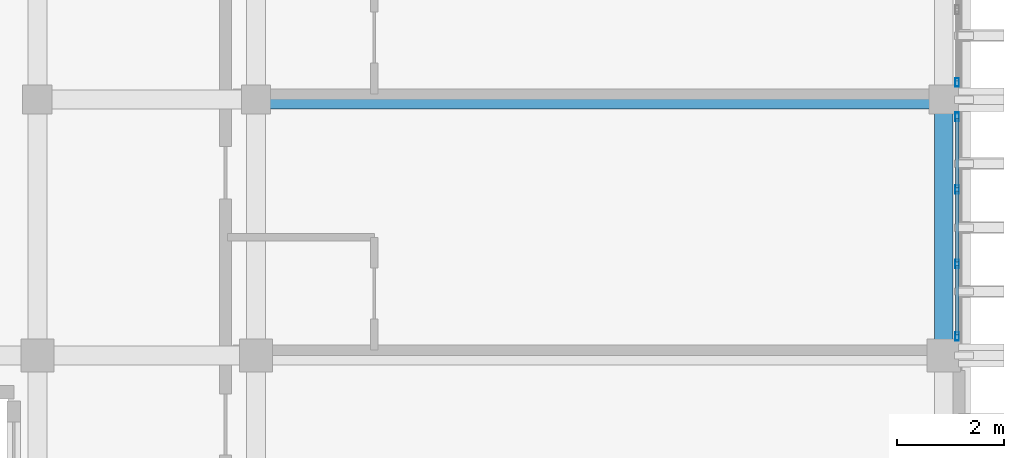
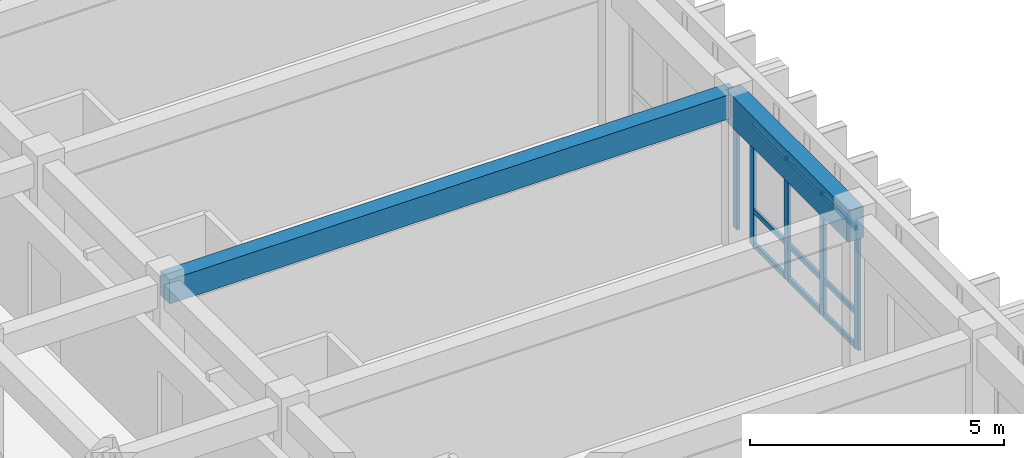
# One storey, part 14 of 50: 14 members, 2 beams, 2 elements without a shape of their own.
"""IFC4 building model written with IfcOpenShell, lengths in metres."""

from ifc_helpers import new_model, si_unit, direction, frame, origin, origin_2d, place, context, subcontext, project, spatial, rectangle, hollow_rectangle, extrude, material, layer, layer_set, material_profile, profile_set, type_object, element, aggregate, save


model = new_model("IFC4")

# Units and contexts
model_context = context("Model", 3, precision=1e-05, world=origin(), true_north=direction((0.0, 1.0)))
body_context = subcontext(model_context, "Body", "Model", "MODEL_VIEW")
ifc_project = project(units=[si_unit("LENGTHUNIT", "METRE"), si_unit("AREAUNIT", "SQUARE_METRE"), si_unit("VOLUMEUNIT", "CUBIC_METRE"), si_unit("PLANEANGLEUNIT", "RADIAN"), si_unit("MASSUNIT", "GRAM", prefix="KILO")], contexts=[model_context])

# Site, building, storey
site_placement = place(None, origin())
site = spatial("IfcSite", under=ifc_project, at=site_placement, CompositionType="ELEMENT")
building_placement = place(site_placement, origin())
building = spatial("IfcBuilding", under=site, at=building_placement, Name="Nakhvara Creek Congress Hotel", CompositionType="ELEMENT")
storey_placement = place(building_placement, frame((0.0, 0.0, 42.60009765625)))
storey = spatial("IfcBuildingStorey", under=building, at=storey_placement, Name="L10", CompositionType="ELEMENT", Elevation=42.60009765625)

# Beams
ifc_material_1 = material(Name="Concrete C40/50", Category="concrete")
ifc_material_profile_1 = material_profile(ifc_material_1, rectangle(XDim=0.360107421875, YDim=0.580078125, at=origin_2d()), Name="RC-BM 360x580", Category="LoadBearing")
ifc_profile_set_1 = profile_set([ifc_material_profile_1], Name="Concrete C40/50")
beam_type_1 = type_object("IfcBeamType", Name="BM-RC-360X580", PredefinedType="BEAM", material=ifc_profile_set_1)
beam_1_placement = place(storey_placement, frame((166.449951171875, 81.60009765625, 3.369873046875), z_axis=(1.0, 0.0, 0.0), x_axis=(0.0, 1.0, 0.0)))
element("IfcBeam", 1, at=beam_1_placement, inside=storey, type_object=beam_type_1, Name="Beam B09-L10-2715", PredefinedType="BEAM", context=body_context, shape_type="SweptSolid", body=[
    extrude(rectangle(XDim=0.360107421875, YDim=0.580078125, at=origin_2d()), origin(), (0.0, 0.0, 1.0), 12.900146484375),
])
ifc_material_profile_2 = material_profile(ifc_material_1, rectangle(XDim=0.35009765625, YDim=0.75, at=origin_2d()), Name="RC-SPANDREL 350x750", Category="LoadBearing")
ifc_profile_set_2 = profile_set([ifc_material_profile_2], Name="Concrete C40/50")
beam_type_2 = type_object("IfcBeamType", Name="BM-SPN-350X750", PredefinedType="SPANDREL", material=ifc_profile_set_2)
beam_2_placement = place(storey_placement, frame((179.35009765625, 76.800048828125, 3.284912109375), z_axis=(0.0, 1.0, 0.0), x_axis=(-1.0, 0.0, 0.0)))
element("IfcBeam", 2, at=beam_2_placement, inside=storey, type_object=beam_type_2, Name="Beam SP1-L10-2691", PredefinedType="SPANDREL", context=body_context, shape_type="SweptSolid", body=[
    extrude(rectangle(XDim=0.35009765625, YDim=0.75, at=origin_2d()), origin(), (0.0, 0.0, 1.0), 4.800048828125),
])

# Curtain wall, members
ifc_material_2 = material(Name="Bronze-anodised aluminium AW-6063-T6 and double-silver low-E glass", Category="aluminium")
ifc_layer = layer(ifc_material_2, 0.199951171875)
ifc_layer_set = layer_set([ifc_layer], Name="Bronze-anodised aluminium AW-6063-T6 and double-silver low-E glass")
curtain_wall_type = type_object("IfcCurtainWallType", Name="CW-HTL-UNIT", PredefinedType="USERDEFINED", material=ifc_layer_set)
curtain_wall_1_placement = place(storey_placement, origin())
curtain_wall_1 = element("IfcCurtainWall", 3, at=curtain_wall_1_placement, inside=storey, type_object=curtain_wall_type, Name="Curtain Wall CW318", ObjectType="UNITISED", PredefinedType="USERDEFINED")
ifc_material_3 = material(Name="Bronze-anodised aluminium AW-6063-T6", Category="aluminium")
ifc_material_profile_3 = material_profile(ifc_material_3, hollow_rectangle(XDim=0.06494140625, YDim=0.159912109375, WallThickness=0.00390625, at=origin_2d()), Name="ALU-MULL 65x160x4", Category="LoadBearing")
ifc_profile_set_3 = profile_set([ifc_material_profile_3], Name="Bronze-anodised aluminium AW-6063-T6")
member_type_1 = type_object("IfcMemberType", Name="CW-MULL-160", PredefinedType="MULLION", material=ifc_profile_set_3)
member_1_placement = place(storey_placement, frame((179.60009765625, 81.277587890625, 0.0), z_axis=(0.0, 0.0, 1.0), x_axis=(1.0, 0.0, 0.0)))
member_1 = element("IfcMember", 4, at=member_1_placement, type_object=member_type_1, Name="CW318 mullion 1", PredefinedType="MULLION", context=body_context, shape_type="SweptSolid", body=[
    extrude(hollow_rectangle(XDim=0.06494140625, YDim=0.159912109375, WallThickness=0.00390625, at=origin_2d()), origin(), (0.0, 0.0, 1.0), 2.90185546875),
])
member_2_placement = place(storey_placement, frame((179.60009765625, 79.9150390625, 0.0), z_axis=(0.0, 0.0, 1.0), x_axis=(1.0, 0.0, 0.0)))
member_2 = element("IfcMember", 5, at=member_2_placement, type_object=member_type_1, Name="CW318 mullion 2", PredefinedType="MULLION", context=body_context, shape_type="SweptSolid", body=[
    extrude(hollow_rectangle(XDim=0.06494140625, YDim=0.159912109375, WallThickness=0.00390625, at=origin_2d()), origin(), (0.0, 0.0, 1.0), 2.90185546875),
])
member_3_placement = place(storey_placement, frame((179.60009765625, 78.52001953125, 0.0), z_axis=(0.0, 0.0, 1.0), x_axis=(1.0, 0.0, 0.0)))
member_3 = element("IfcMember", 6, at=member_3_placement, type_object=member_type_1, Name="CW318 mullion 3", PredefinedType="MULLION", context=body_context, shape_type="SweptSolid", body=[
    extrude(hollow_rectangle(XDim=0.06494140625, YDim=0.159912109375, WallThickness=0.00390625, at=origin_2d()), origin(), (0.0, 0.0, 1.0), 2.90185546875),
])
member_4_placement = place(storey_placement, frame((179.60009765625, 77.157470703125, 0.0), z_axis=(0.0, 0.0, 1.0), x_axis=(1.0, 0.0, 0.0)))
member_4 = element("IfcMember", 7, at=member_4_placement, type_object=member_type_1, Name="CW318 mullion 4", PredefinedType="MULLION", context=body_context, shape_type="SweptSolid", body=[
    extrude(hollow_rectangle(XDim=0.06494140625, YDim=0.159912109375, WallThickness=0.00390625, at=origin_2d()), origin(), (0.0, 0.0, 1.0), 2.90185546875),
])

# Curtain wall, member
curtain_wall_2_placement = place(storey_placement, origin())
curtain_wall_2 = element("IfcCurtainWall", 8, at=curtain_wall_2_placement, inside=storey, type_object=curtain_wall_type, Name="Curtain Wall CW320", ObjectType="UNITISED", PredefinedType="USERDEFINED")
member_5_placement = place(storey_placement, frame((179.60009765625, 81.922607421875, 0.0), z_axis=(0.0, 0.0, 1.0), x_axis=(1.0, 0.0, 0.0)))
member_5 = element("IfcMember", 9, at=member_5_placement, type_object=member_type_1, Name="CW320 mullion 4", PredefinedType="MULLION", context=body_context, shape_type="SweptSolid", body=[
    extrude(hollow_rectangle(XDim=0.06494140625, YDim=0.159912109375, WallThickness=0.00390625, at=origin_2d()), origin(), (0.0, 0.0, 1.0), 2.90185546875),
])
aggregate(curtain_wall_2, [member_5])

# Member
ifc_material_profile_4 = material_profile(ifc_material_3, hollow_rectangle(XDim=0.06494140625, YDim=0.1201171875, WallThickness=0.00390625, at=origin_2d()), Name="ALU-TRAN 65x120x4", Category="LoadBearing")
ifc_profile_set_4 = profile_set([ifc_material_profile_4], Name="Bronze-anodised aluminium AW-6063-T6")
member_type_2 = type_object("IfcMemberType", Name="CW-TRAN-120", PredefinedType="USERDEFINED", material=ifc_profile_set_4)
member_6_placement = place(storey_placement, frame((179.60009765625, 81.2451171875, 0.032470703125), z_axis=(0.0, -1.0, 0.0), x_axis=(1.0, 0.0, 0.0)))
member_6 = element("IfcMember", 10, at=member_6_placement, type_object=member_type_2, Name="CW318 transom 1.1", ObjectType="TRANSOM", PredefinedType="USERDEFINED", context=body_context, shape_type="SweptSolid", body=[
    extrude(hollow_rectangle(XDim=0.06494140625, YDim=0.1201171875, WallThickness=0.00390625, at=origin_2d()), origin(), (0.0, 0.0, 1.0), 1.297607421875),
])

member_7_placement = place(storey_placement, frame((179.60009765625, 81.2451171875, 0.849853515625), z_axis=(0.0, -1.0, 0.0), x_axis=(1.0, 0.0, 0.0)))
member_7 = element("IfcMember", 11, at=member_7_placement, type_object=member_type_2, Name="CW318 transom 1.2", ObjectType="TRANSOM", PredefinedType="USERDEFINED", context=body_context, shape_type="SweptSolid", body=[
    extrude(hollow_rectangle(XDim=0.06494140625, YDim=0.1201171875, WallThickness=0.00390625, at=origin_2d()), origin(), (0.0, 0.0, 1.0), 1.297607421875),
])

member_8_placement = place(storey_placement, frame((179.60009765625, 81.2451171875, 2.869384765625), z_axis=(0.0, -1.0, 0.0), x_axis=(1.0, 0.0, 0.0)))
member_8 = element("IfcMember", 12, at=member_8_placement, type_object=member_type_2, Name="CW318 transom 1.3", ObjectType="TRANSOM", PredefinedType="USERDEFINED", context=body_context, shape_type="SweptSolid", body=[
    extrude(hollow_rectangle(XDim=0.06494140625, YDim=0.1201171875, WallThickness=0.00390625, at=origin_2d()), origin(), (0.0, 0.0, 1.0), 1.297607421875),
])

member_9_placement = place(storey_placement, frame((179.60009765625, 79.882568359375, 0.032470703125), z_axis=(0.0, -1.0, 0.0), x_axis=(1.0, 0.0, 0.0)))
member_9 = element("IfcMember", 13, at=member_9_placement, type_object=member_type_2, Name="CW318 transom 2.1", ObjectType="TRANSOM", PredefinedType="USERDEFINED", context=body_context, shape_type="SweptSolid", body=[
    extrude(hollow_rectangle(XDim=0.06494140625, YDim=0.1201171875, WallThickness=0.00390625, at=origin_2d()), origin(), (0.0, 0.0, 1.0), 1.330078125),
])

member_10_placement = place(storey_placement, frame((179.60009765625, 79.882568359375, 0.849853515625), z_axis=(0.0, -1.0, 0.0), x_axis=(1.0, 0.0, 0.0)))
member_10 = element("IfcMember", 14, at=member_10_placement, type_object=member_type_2, Name="CW318 transom 2.2", ObjectType="TRANSOM", PredefinedType="USERDEFINED", context=body_context, shape_type="SweptSolid", body=[
    extrude(hollow_rectangle(XDim=0.06494140625, YDim=0.1201171875, WallThickness=0.00390625, at=origin_2d()), origin(), (0.0, 0.0, 1.0), 1.330078125),
])

member_11_placement = place(storey_placement, frame((179.60009765625, 79.882568359375, 2.869384765625), z_axis=(0.0, -1.0, 0.0), x_axis=(1.0, 0.0, 0.0)))
member_11 = element("IfcMember", 15, at=member_11_placement, type_object=member_type_2, Name="CW318 transom 2.3", ObjectType="TRANSOM", PredefinedType="USERDEFINED", context=body_context, shape_type="SweptSolid", body=[
    extrude(hollow_rectangle(XDim=0.06494140625, YDim=0.1201171875, WallThickness=0.00390625, at=origin_2d()), origin(), (0.0, 0.0, 1.0), 1.330078125),
])

member_12_placement = place(storey_placement, frame((179.60009765625, 78.487548828125, 0.032470703125), z_axis=(0.0, -1.0, 0.0), x_axis=(1.0, 0.0, 0.0)))
member_12 = element("IfcMember", 16, at=member_12_placement, type_object=member_type_2, Name="CW318 transom 3.1", ObjectType="TRANSOM", PredefinedType="USERDEFINED", context=body_context, shape_type="SweptSolid", body=[
    extrude(hollow_rectangle(XDim=0.06494140625, YDim=0.1201171875, WallThickness=0.00390625, at=origin_2d()), origin(), (0.0, 0.0, 1.0), 1.297607421875),
])

member_13_placement = place(storey_placement, frame((179.60009765625, 78.487548828125, 0.849853515625), z_axis=(0.0, -1.0, 0.0), x_axis=(1.0, 0.0, 0.0)))
member_13 = element("IfcMember", 17, at=member_13_placement, type_object=member_type_2, Name="CW318 transom 3.2", ObjectType="TRANSOM", PredefinedType="USERDEFINED", context=body_context, shape_type="SweptSolid", body=[
    extrude(hollow_rectangle(XDim=0.06494140625, YDim=0.1201171875, WallThickness=0.00390625, at=origin_2d()), origin(), (0.0, 0.0, 1.0), 1.297607421875),
])

member_14_placement = place(storey_placement, frame((179.60009765625, 78.487548828125, 2.869384765625), z_axis=(0.0, -1.0, 0.0), x_axis=(1.0, 0.0, 0.0)))
member_14 = element("IfcMember", 18, at=member_14_placement, type_object=member_type_2, Name="CW318 transom 3.3", ObjectType="TRANSOM", PredefinedType="USERDEFINED", context=body_context, shape_type="SweptSolid", body=[
    extrude(hollow_rectangle(XDim=0.06494140625, YDim=0.1201171875, WallThickness=0.00390625, at=origin_2d()), origin(), (0.0, 0.0, 1.0), 1.297607421875),
])

aggregate(curtain_wall_1, [member_1, member_2, member_3, member_4, member_6, member_7, member_8, member_9, member_10, member_11, member_12, member_13, member_14])

save(model, "model.ifc")
